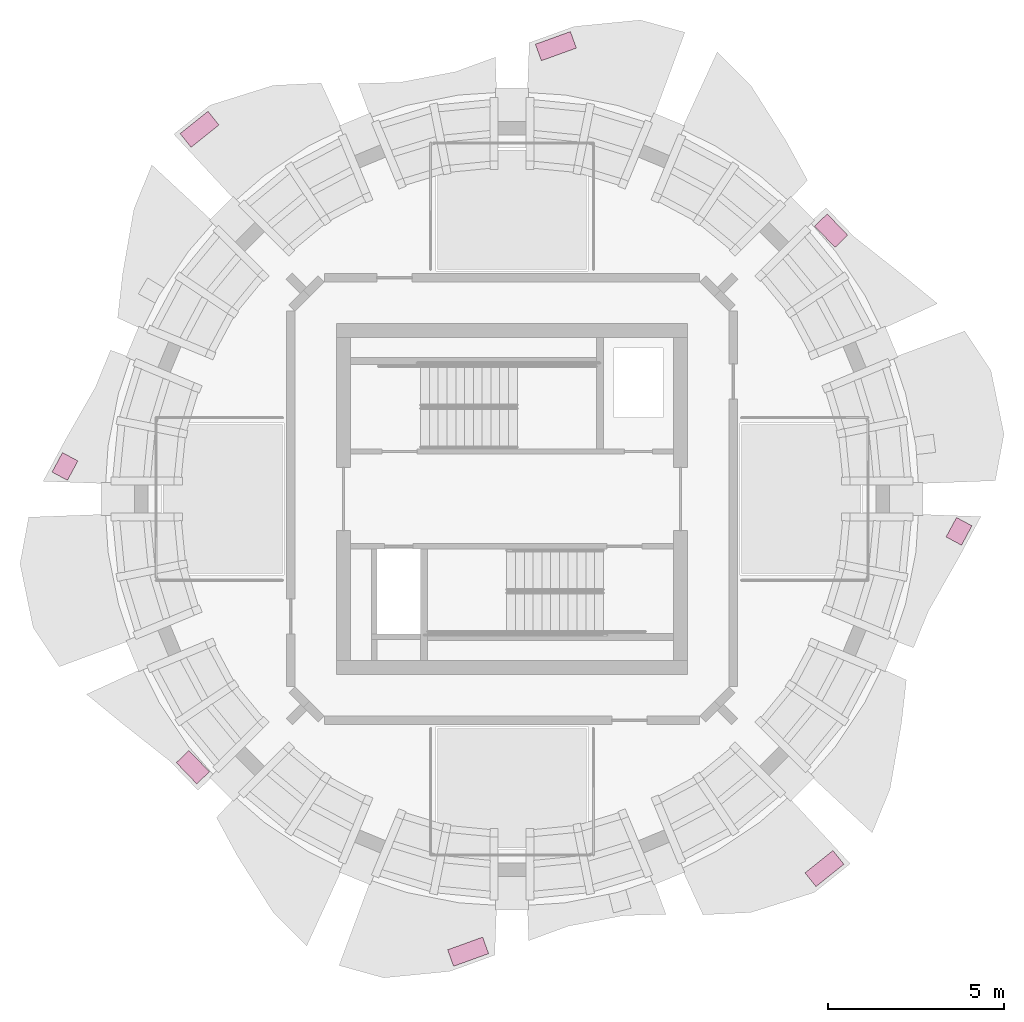
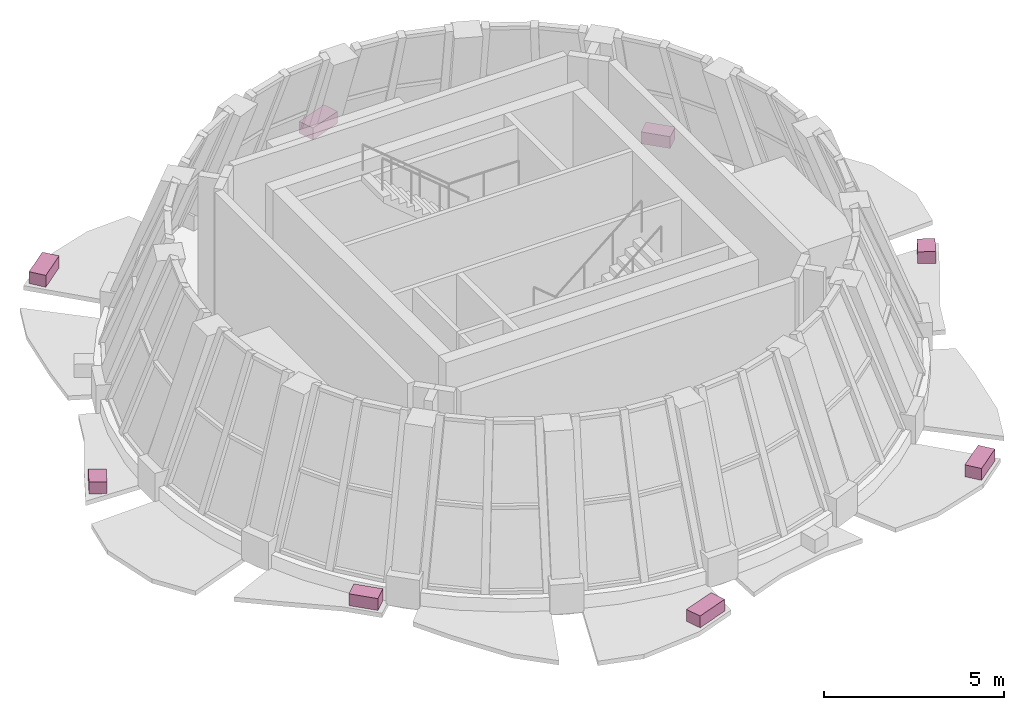
# One storey, part 9 of 9: 8 furniture elements.
"""IFC4 building model written with IfcOpenShell, lengths in metres."""

from ifc_helpers import new_model, si_unit, direction, frame, origin, origin_2d, place, context, subcontext, project, spatial, rectangle, extrude, material, type_object, element, save


model = new_model("IFC4")

# Units and contexts
model_context = context("Model", 3, precision=1e-05, world=origin(), true_north=direction((0.0, 1.0)))
body_context = subcontext(model_context, "Body", "Model", "MODEL_VIEW")
ifc_project = project(units=[si_unit("LENGTHUNIT", "METRE"), si_unit("AREAUNIT", "SQUARE_METRE"), si_unit("VOLUMEUNIT", "CUBIC_METRE"), si_unit("PLANEANGLEUNIT", "RADIAN"), si_unit("MASSUNIT", "GRAM", prefix="KILO")], contexts=[model_context])

# Site, building, storey
site_placement = place(None, origin())
site = spatial("IfcSite", under=ifc_project, at=site_placement, CompositionType="ELEMENT")
building_placement = place(site_placement, origin())
building = spatial("IfcBuilding", under=site, at=building_placement, Name="Polderwave Tower", CompositionType="ELEMENT")
storey_placement = place(building_placement, frame((0.0, 0.0, 239.39990234375)))
storey = spatial("IfcBuildingStorey", under=building, at=storey_placement, Name="L65", CompositionType="ELEMENT", Elevation=239.39990234375)

# Furniture
ifc_material = material(Name="Terracotta", Category="masonry")
furniture_type = type_object("IfcFurnitureType", Name="Terracotta planting trough", AssemblyPlace="NOTDEFINED", PredefinedType="USERDEFINED", material=ifc_material)
furniture_1_placement = place(storey_placement, frame((9.086669921875, 7.638427734375, -0.449951171875), z_axis=(0.0, 0.0, 1.0), x_axis=(-0.693337687983, 0.720612829765, 0.0)))
element("IfcFurniture", 1, at=furniture_1_placement, inside=storey, type_object=furniture_type, Name="Planting trough L65 2", ObjectType="PLANTER", PredefinedType="USERDEFINED", context=body_context, shape_type="SweptSolid", body=[
    extrude(rectangle(XDim=0.841796875, YDim=0.5, at=origin_2d()), origin(), (0.0, 0.0, 1.0), 0.39990234375),
])
furniture_2_placement = place(storey_placement, frame((1.24951171875, 12.891845703125, -0.449951171875), z_axis=(0.0, 0.0, 1.0), x_axis=(-0.940504180319, -0.33978211666, 0.0)))
element("IfcFurniture", 2, at=furniture_2_placement, inside=storey, type_object=furniture_type, Name="Planting trough L65 4", ObjectType="PLANTER", PredefinedType="USERDEFINED", context=body_context, shape_type="SweptSolid", body=[
    extrude(rectangle(XDim=1.0615234375, YDim=0.5, at=origin_2d()), origin(), (0.0, 0.0, 1.0), 0.39990234375),
])
furniture_3_placement = place(storey_placement, frame((-8.896728515625, 10.524658203125, -0.449951171875), z_axis=(0.0, 0.0, 1.0), x_axis=(-0.780275425261, -0.62543605647, 0.0)))
element("IfcFurniture", 3, at=furniture_3_placement, inside=storey, type_object=furniture_type, Name="Planting trough L65 6", ObjectType="PLANTER", PredefinedType="USERDEFINED", context=body_context, shape_type="SweptSolid", body=[
    extrude(rectangle(XDim=1.017822265625, YDim=0.5, at=origin_2d()), origin(), (0.0, 0.0, 1.0), 0.39990234375),
])
furniture_4_placement = place(storey_placement, frame((-12.72802734375, 0.923828125, -0.449951171875), z_axis=(0.0, 0.0, 1.0), x_axis=(-0.473242793164, -0.880932039784, 0.0)))
element("IfcFurniture", 4, at=furniture_4_placement, inside=storey, type_object=furniture_type, Name="Planting trough L65 8", ObjectType="PLANTER", PredefinedType="USERDEFINED", context=body_context, shape_type="SweptSolid", body=[
    extrude(rectangle(XDim=0.629150390625, YDim=0.5, at=origin_2d()), origin(), (0.0, 0.0, 1.0), 0.39990234375),
])
furniture_5_placement = place(storey_placement, frame((-9.086669921875, -7.638427734375, -0.449951171875), z_axis=(0.0, 0.0, 1.0), x_axis=(0.693337687983, -0.720612829765, 0.0)))
element("IfcFurniture", 5, at=furniture_5_placement, inside=storey, type_object=furniture_type, Name="Planting trough L65 10", ObjectType="PLANTER", PredefinedType="USERDEFINED", context=body_context, shape_type="SweptSolid", body=[
    extrude(rectangle(XDim=0.841796875, YDim=0.5, at=origin_2d()), origin(), (0.0, 0.0, 1.0), 0.39990234375),
])
furniture_6_placement = place(storey_placement, frame((-1.24951171875, -12.891845703125, -0.449951171875), z_axis=(0.0, 0.0, 1.0), x_axis=(0.940504180319, 0.33978211666, 0.0)))
element("IfcFurniture", 6, at=furniture_6_placement, inside=storey, type_object=furniture_type, Name="Planting trough L65 12", ObjectType="PLANTER", PredefinedType="USERDEFINED", context=body_context, shape_type="SweptSolid", body=[
    extrude(rectangle(XDim=1.0615234375, YDim=0.5, at=origin_2d()), origin(), (0.0, 0.0, 1.0), 0.39990234375),
])
furniture_7_placement = place(storey_placement, frame((8.896728515625, -10.524658203125, -0.449951171875), z_axis=(0.0, 0.0, 1.0), x_axis=(0.780275425261, 0.62543605647, 0.0)))
element("IfcFurniture", 7, at=furniture_7_placement, inside=storey, type_object=furniture_type, Name="Planting trough L65 14", ObjectType="PLANTER", PredefinedType="USERDEFINED", context=body_context, shape_type="SweptSolid", body=[
    extrude(rectangle(XDim=1.017822265625, YDim=0.5, at=origin_2d()), origin(), (0.0, 0.0, 1.0), 0.39990234375),
])
furniture_8_placement = place(storey_placement, frame((12.72802734375, -0.923828125, -0.449951171875), z_axis=(0.0, 0.0, 1.0), x_axis=(0.473242793164, 0.880932039784, 0.0)))
element("IfcFurniture", 8, at=furniture_8_placement, inside=storey, type_object=furniture_type, Name="Planting trough L65 16", ObjectType="PLANTER", PredefinedType="USERDEFINED", context=body_context, shape_type="SweptSolid", body=[
    extrude(rectangle(XDim=0.629150390625, YDim=0.5, at=origin_2d()), origin(), (0.0, 0.0, 1.0), 0.39990234375),
])

save(model, "model.ifc")
